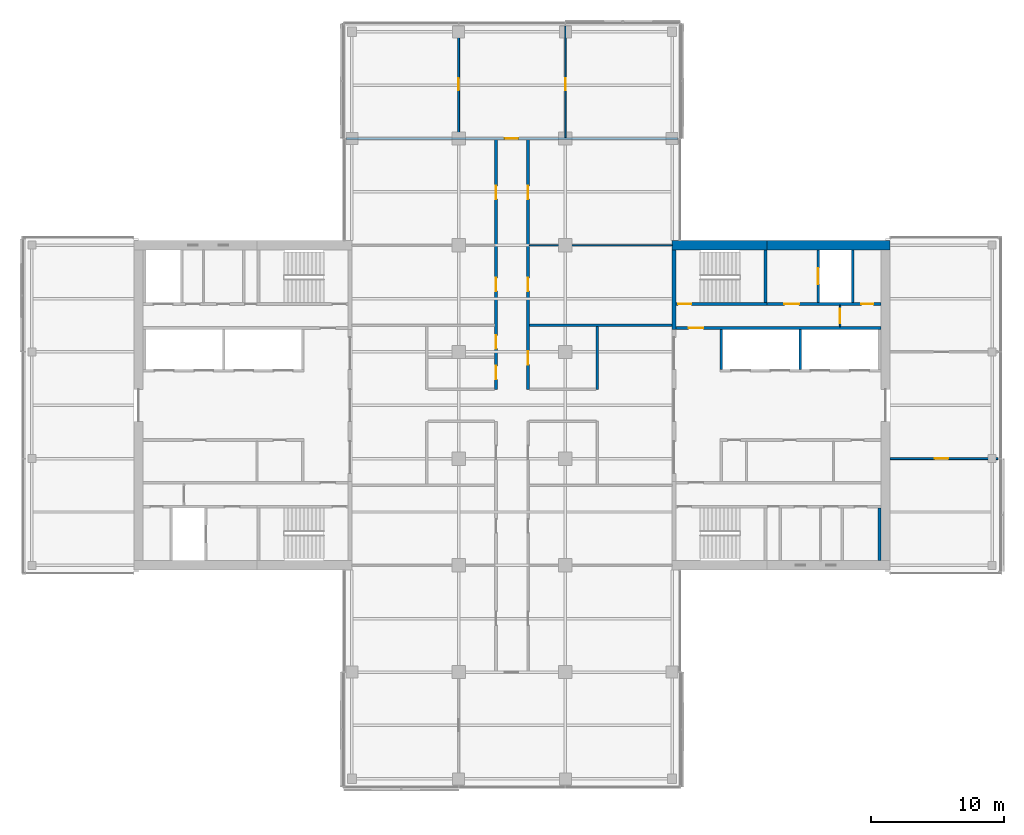
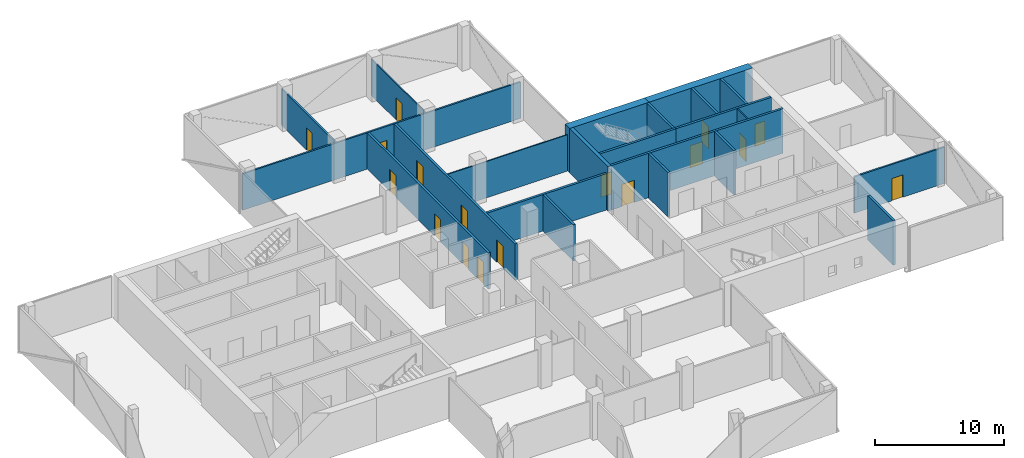
# One storey, part 16 of 22: 22 walls, 17 doors, 17 openings.
"""IFC4 building model written with IfcOpenShell, lengths in metres."""

from ifc_helpers import new_model, si_unit, direction, frame, frame_2d, origin, place, context, subcontext, project, spatial, rectangle, extrude, material, layer, layer_set, constituent, constituent_set, type_object, element, fill, save


model = new_model("IFC4")

# Units and contexts
model_context = context("Model", 3, precision=1e-05, world=origin(), true_north=direction((0.0, 1.0)))
body_context = subcontext(model_context, "Body", "Model", "MODEL_VIEW")
ifc_project = project(units=[si_unit("LENGTHUNIT", "METRE"), si_unit("AREAUNIT", "SQUARE_METRE"), si_unit("VOLUMEUNIT", "CUBIC_METRE"), si_unit("PLANEANGLEUNIT", "RADIAN"), si_unit("MASSUNIT", "GRAM", prefix="KILO")], contexts=[model_context])

# Site, building, storey
site_placement = place(None, origin())
site = spatial("IfcSite", under=ifc_project, at=site_placement, CompositionType="ELEMENT")
building_placement = place(site_placement, origin())
building = spatial("IfcBuilding", under=site, at=building_placement, Name="Crosswind Convention Tower", CompositionType="ELEMENT")
storey_placement = place(building_placement, frame((0.0, 0.0, 137.89990234375)))
storey = spatial("IfcBuildingStorey", under=building, at=storey_placement, Name="L28", CompositionType="ELEMENT", Elevation=137.89990234375)

# Wall, openings, doors
ifc_material_1 = material(Name="Concrete blockwork", Category="masonry")
ifc_layer_1 = layer(ifc_material_1, 0.199951171875)
ifc_layer_set_1 = layer_set([ifc_layer_1], Name="COMPARTMENT WALL 200 BLOCKWORK")
wall_type_1 = type_object("IfcWallType", Name="COMPARTMENT WALL 200 BLOCKWORK", PredefinedType="SOLIDWALL", material=ifc_layer_set_1)
wall_1_placement = place(storey_placement, frame((123.800048828125, 101.199951171875, 0.0), z_axis=(0.0, 0.0, 1.0), x_axis=(0.0, 1.0, 0.0)))
wall_1 = element("IfcWall", 1, at=wall_1_placement, inside=storey, type_object=wall_type_1, Name="Compartment wall WT42", PredefinedType="SOLIDWALL", context=body_context, shape_type="SweptSolid", body=[
    extrude(rectangle(XDim=18.72509765625, YDim=0.199951171875, at=frame_2d((9.362548828125, 0.0))), origin(), (0.0, 0.0, 1.0), 3.4365234375),
])
opening_1_placement = place(wall_1_placement, frame((0.75, 0.0, 0.0)))
opening_1 = element("IfcOpeningElement", 2, at=opening_1_placement, cuts=wall_1, Name="Opening L28-56", PredefinedType="OPENING", context=body_context, shape_type="SweptSolid", body=[
    extrude(rectangle(XDim=1.0, YDim=2.10009765625, at=frame_2d((0.5, 1.050048828125))), frame((0.0, 0.10986328125, 0.0), z_axis=(0.0, -1.0, 0.0), x_axis=(1.0, 0.0, 0.0)), (0.0, 0.0, 1.0), 0.219970703125),
])
opening_2_placement = place(wall_1_placement, frame((3.050048828125, 0.0, 0.0)))
opening_2 = element("IfcOpeningElement", 3, at=opening_2_placement, cuts=wall_1, Name="Opening L28-57", PredefinedType="OPENING", context=body_context, shape_type="SweptSolid", body=[
    extrude(rectangle(XDim=1.0, YDim=2.10009765625, at=frame_2d((0.5, 1.050048828125))), frame((0.0, 0.10986328125, 0.0), z_axis=(0.0, -1.0, 0.0), x_axis=(1.0, 0.0, 0.0)), (0.0, 0.0, 1.0), 0.219970703125),
])
opening_3_placement = place(wall_1_placement, frame((7.35009765625, 0.0, 0.0)))
opening_3 = element("IfcOpeningElement", 4, at=opening_3_placement, cuts=wall_1, Name="Opening L28-58", PredefinedType="OPENING", context=body_context, shape_type="SweptSolid", body=[
    extrude(rectangle(XDim=1.0, YDim=2.10009765625, at=frame_2d((0.5, 1.050048828125))), frame((0.0, 0.10986328125, 0.0), z_axis=(0.0, -1.0, 0.0), x_axis=(1.0, 0.0, 0.0)), (0.0, 0.0, 1.0), 0.219970703125),
])
opening_4_placement = place(wall_1_placement, frame((14.25, 0.0, 0.0)))
opening_4 = element("IfcOpeningElement", 5, at=opening_4_placement, cuts=wall_1, Name="Opening L28-59", PredefinedType="OPENING", context=body_context, shape_type="SweptSolid", body=[
    extrude(rectangle(XDim=1.0, YDim=2.10009765625, at=frame_2d((0.5, 1.050048828125))), frame((0.0, 0.10986328125, 0.0), z_axis=(0.0, -1.0, 0.0), x_axis=(1.0, 0.0, 0.0)), (0.0, 0.0, 1.0), 0.219970703125),
])
ifc_material_2 = material(Name="Steel fire door", Category="steel")
door_type_1 = type_object("IfcDoorType", Name="PLANT ROOM DOOR 1000X2100 FD60", OperationType="NOTDEFINED", PredefinedType="DOOR", material=ifc_material_2)
door_1_placement = place(opening_1_placement, origin())
door_1 = element("IfcDoor", 6, at=door_1_placement, inside=storey, type_object=door_type_1, Name="Door L28-56", ObjectType="D43", OperationType="SINGLE_SWING_RIGHT", OverallHeight=2.10009765625, OverallWidth=1.0, PredefinedType="DOOR", context=body_context, shape_type="SweptSolid", body=[
    extrude(rectangle(XDim=1.0, YDim=2.10009765625, at=frame_2d((0.5, 1.050048828125))), frame((0.0, 0.02490234375, 0.0), z_axis=(0.0, -1.0, 0.0), x_axis=(1.0, 0.0, 0.0)), (0.0, 0.0, 1.0), 0.050048828125),
])
fill(opening_1, door_1)
ifc_material_3 = material(Name="Timber fire door", Category="wood")
door_type_2 = type_object("IfcDoorType", Name="TENANCY ENTRANCE DOOR 1000X2100 FD30S", OperationType="NOTDEFINED", PredefinedType="DOOR", material=ifc_material_3)
door_2_placement = place(opening_2_placement, origin())
door_2 = element("IfcDoor", 7, at=door_2_placement, inside=storey, type_object=door_type_2, Name="Door L28-57", ObjectType="D41", OperationType="SINGLE_SWING_LEFT", OverallHeight=2.10009765625, OverallWidth=1.0, PredefinedType="DOOR", context=body_context, shape_type="SweptSolid", body=[
    extrude(rectangle(XDim=1.0, YDim=2.10009765625, at=frame_2d((0.5, 1.050048828125))), frame((0.0, 0.02490234375, 0.0), z_axis=(0.0, -1.0, 0.0), x_axis=(1.0, 0.0, 0.0)), (0.0, 0.0, 1.0), 0.050048828125),
])
fill(opening_2, door_2)
door_3_placement = place(opening_3_placement, origin())
door_3 = element("IfcDoor", 8, at=door_3_placement, inside=storey, type_object=door_type_2, Name="Door L28-58", ObjectType="D41", OperationType="SINGLE_SWING_RIGHT", OverallHeight=2.10009765625, OverallWidth=1.0, PredefinedType="DOOR", context=body_context, shape_type="SweptSolid", body=[
    extrude(rectangle(XDim=1.0, YDim=2.10009765625, at=frame_2d((0.5, 1.050048828125))), frame((0.0, 0.02490234375, 0.0), z_axis=(0.0, -1.0, 0.0), x_axis=(1.0, 0.0, 0.0)), (0.0, 0.0, 1.0), 0.050048828125),
])
fill(opening_3, door_3)
door_4_placement = place(opening_4_placement, origin())
door_4 = element("IfcDoor", 9, at=door_4_placement, inside=storey, type_object=door_type_2, Name="Door L28-59", ObjectType="D41", OperationType="SINGLE_SWING_LEFT", OverallHeight=2.10009765625, OverallWidth=1.0, PredefinedType="DOOR", context=body_context, shape_type="SweptSolid", body=[
    extrude(rectangle(XDim=1.0, YDim=2.10009765625, at=frame_2d((0.5, 1.050048828125))), frame((0.0, 0.02490234375, 0.0), z_axis=(0.0, -1.0, 0.0), x_axis=(1.0, 0.0, 0.0)), (0.0, 0.0, 1.0), 0.050048828125),
])
fill(opening_4, door_4)

wall_2_placement = place(storey_placement, frame((126.199951171875, 101.199951171875, 0.0), z_axis=(0.0, 0.0, 1.0), x_axis=(0.0, 1.0, 0.0)))
wall_2 = element("IfcWall", 10, at=wall_2_placement, inside=storey, type_object=wall_type_1, Name="Compartment wall WT42", PredefinedType="SOLIDWALL", context=body_context, shape_type="SweptSolid", body=[
    extrude(rectangle(XDim=18.72509765625, YDim=0.199951171875, at=frame_2d((9.362548828125, 0.0))), origin(), (0.0, 0.0, 1.0), 3.4365234375),
])
opening_5_placement = place(wall_2_placement, frame((1.85009765625, 0.0, 0.0)))
opening_5 = element("IfcOpeningElement", 11, at=opening_5_placement, cuts=wall_2, Name="Opening L28-50", PredefinedType="OPENING", context=body_context, shape_type="SweptSolid", body=[
    extrude(rectangle(XDim=1.0, YDim=2.10009765625, at=frame_2d((0.5, 1.050048828125))), frame((0.0, 0.10986328125, 0.0), z_axis=(0.0, -1.0, 0.0), x_axis=(1.0, 0.0, 0.0)), (0.0, 0.0, 1.0), 0.219970703125),
])
opening_6_placement = place(wall_2_placement, frame((7.35009765625, 0.0, 0.0)))
opening_6 = element("IfcOpeningElement", 12, at=opening_6_placement, cuts=wall_2, Name="Opening L28-51", PredefinedType="OPENING", context=body_context, shape_type="SweptSolid", body=[
    extrude(rectangle(XDim=1.0, YDim=2.10009765625, at=frame_2d((0.5, 1.050048828125))), frame((0.0, 0.10986328125, 0.0), z_axis=(0.0, -1.0, 0.0), x_axis=(1.0, 0.0, 0.0)), (0.0, 0.0, 1.0), 0.219970703125),
])
opening_7_placement = place(wall_2_placement, frame((14.25, 0.0, 0.0)))
opening_7 = element("IfcOpeningElement", 13, at=opening_7_placement, cuts=wall_2, Name="Opening L28-52", PredefinedType="OPENING", context=body_context, shape_type="SweptSolid", body=[
    extrude(rectangle(XDim=1.0, YDim=2.10009765625, at=frame_2d((0.5, 1.050048828125))), frame((0.0, 0.10986328125, 0.0), z_axis=(0.0, -1.0, 0.0), x_axis=(1.0, 0.0, 0.0)), (0.0, 0.0, 1.0), 0.219970703125),
])
door_5_placement = place(opening_5_placement, frame((1.0, 0.0, 0.0), z_axis=(0.0, 0.0, 1.0), x_axis=(-1.0, 0.0, 0.0)))
door_5 = element("IfcDoor", 14, at=door_5_placement, inside=storey, type_object=door_type_1, Name="Door L28-50", ObjectType="D43", OperationType="SINGLE_SWING_RIGHT", OverallHeight=2.10009765625, OverallWidth=1.0, PredefinedType="DOOR", context=body_context, shape_type="SweptSolid", body=[
    extrude(rectangle(XDim=1.0, YDim=2.10009765625, at=frame_2d((0.5, 1.050048828125))), frame((0.0, 0.02490234375, 0.0), z_axis=(0.0, -1.0, 0.0), x_axis=(1.0, 0.0, 0.0)), (0.0, 0.0, 1.0), 0.050048828125),
])
fill(opening_5, door_5)
door_6_placement = place(opening_6_placement, origin())
door_6 = element("IfcDoor", 15, at=door_6_placement, inside=storey, type_object=door_type_2, Name="Door L28-51", ObjectType="D41", OperationType="SINGLE_SWING_RIGHT", OverallHeight=2.10009765625, OverallWidth=1.0, PredefinedType="DOOR", context=body_context, shape_type="SweptSolid", body=[
    extrude(rectangle(XDim=1.0, YDim=2.10009765625, at=frame_2d((0.5, 1.050048828125))), frame((0.0, 0.02490234375, 0.0), z_axis=(0.0, -1.0, 0.0), x_axis=(1.0, 0.0, 0.0)), (0.0, 0.0, 1.0), 0.050048828125),
])
fill(opening_6, door_6)
door_7_placement = place(opening_7_placement, frame((1.0, 0.0, 0.0), z_axis=(0.0, 0.0, 1.0), x_axis=(-1.0, 0.0, 0.0)))
door_7 = element("IfcDoor", 16, at=door_7_placement, inside=storey, type_object=door_type_2, Name="Door L28-52", ObjectType="D41", OperationType="SINGLE_SWING_RIGHT", OverallHeight=2.10009765625, OverallWidth=1.0, PredefinedType="DOOR", context=body_context, shape_type="SweptSolid", body=[
    extrude(rectangle(XDim=1.0, YDim=2.10009765625, at=frame_2d((0.5, 1.050048828125))), frame((0.0, 0.02490234375, 0.0), z_axis=(0.0, -1.0, 0.0), x_axis=(1.0, 0.0, 0.0)), (0.0, 0.0, 1.0), 0.050048828125),
])
fill(opening_7, door_7)

# Walls
wall_3_placement = place(storey_placement, frame((131.39990234375, 101.199951171875, 0.0), z_axis=(0.0, 0.0, 1.0), x_axis=(0.0, 1.0, 0.0)))
element("IfcWall", 17, at=wall_3_placement, inside=storey, type_object=wall_type_1, Name="Compartment wall WT42", PredefinedType="SOLIDWALL", context=body_context, shape_type="SweptSolid", body=[
    extrude(rectangle(XDim=4.699951171875, YDim=0.199951171875, at=frame_2d((2.35009765625, 0.0))), origin(), (0.0, 0.0, 1.0), 3.4365234375),
])
wall_4_placement = place(storey_placement, frame((126.300048828125, 106.0, 0.0), z_axis=(0.0, 0.0, 1.0), x_axis=(1.0, 0.0, 0.0)))
element("IfcWall", 18, at=wall_4_placement, inside=storey, type_object=wall_type_1, Name="Compartment wall WT42", PredefinedType="SOLIDWALL", context=body_context, shape_type="SweptSolid", body=[
    extrude(rectangle(XDim=10.699951171875, YDim=0.199951171875, at=frame_2d((5.35009765625, 0.0))), origin(), (0.0, 0.0, 1.0), 3.4365234375),
])
ifc_material_4 = material(Name="Concrete C50/60", Category="concrete")
ifc_layer_2 = layer(ifc_material_4, 0.300048828125)
ifc_layer_set_2 = layer_set([ifc_layer_2], Name="Concrete C50/60")
wall_type_2 = type_object("IfcWallType", Name="Concrete inner core wall 300", PredefinedType="SHEAR", material=ifc_layer_set_2)
wall_5_placement = place(storey_placement, frame((137.14990234375, 105.699951171875, 0.0), z_axis=(0.0, 0.0, 1.0), x_axis=(0.0, 1.0, 0.0)))
element("IfcWall", 19, at=wall_5_placement, inside=storey, type_object=wall_type_2, Name="Wall EP E L28", PredefinedType="SHEAR", context=body_context, shape_type="SweptSolid", body=[
    extrude(rectangle(XDim=5.949951171875, YDim=0.300048828125, at=frame_2d((2.97509765625, 0.0))), origin(), (0.0, 0.0, 1.0), 4.2001953125),
])
ifc_layer_3 = layer(ifc_material_4, 0.199951171875)
ifc_layer_set_3 = layer_set([ifc_layer_3], Name="Concrete C50/60")
wall_type_3 = type_object("IfcWallType", Name="Concrete shaft and stair wall 200", PredefinedType="SHEAR", material=ifc_layer_set_3)
for number, where, z_axis, x_axis, name in (
    (20, (140.699951171875, 102.699951171875, 0.0), (0.0, 0.0, 1.0), (0.0, 1.0, 0.0), "Wall RPEND E L28"),
    (21, (146.60009765625, 102.699951171875, 0.0), (0.0, 0.0, 1.0), (0.0, 1.0, 0.0), "Wall RPSEP E L28"),
):
    element("IfcWall", number, at=place(storey_placement, frame(where, z_axis=z_axis, x_axis=x_axis)), inside=storey, type_object=wall_type_3, Name=name, PredefinedType="SHEAR", context=body_context, shape_type="SweptSolid", body=[
        extrude(rectangle(XDim=3.0, YDim=0.199951171875, at=frame_2d((1.5, 0.0))), origin(), (0.0, 0.0, 1.0), 4.2001953125),
    ])

# Wall, opening, door
wall_6_placement = place(storey_placement, frame((137.300048828125, 105.800048828125, 0.0), z_axis=(0.0, 0.0, 1.0), x_axis=(1.0, 0.0, 0.0)))
wall_6 = element("IfcWall", 22, at=wall_6_placement, inside=storey, type_object=wall_type_3, Name="Wall HP E L28", PredefinedType="SHEAR", context=body_context, shape_type="SweptSolid", body=[
    extrude(rectangle(XDim=15.349853515625, YDim=0.199951171875, at=frame_2d((7.6748046875, 0.0))), origin(), (0.0, 0.0, 1.0), 4.2001953125),
])
opening_8_placement = place(wall_6_placement, frame((0.949951171875, 0.0, 0.0)))
opening_8 = element("IfcOpeningElement", 23, at=opening_8_placement, cuts=wall_6, Name="Opening D104", PredefinedType="OPENING", context=body_context, shape_type="SweptSolid", body=[
    extrude(rectangle(XDim=1.10009765625, YDim=2.10009765625, at=frame_2d((0.550048828125, 1.050048828125))), frame((0.0, 0.10986328125, 0.0), z_axis=(0.0, -1.0, 0.0), x_axis=(1.0, 0.0, 0.0)), (0.0, 0.0, 1.0), 0.219970703125),
])
door_type_3 = type_object("IfcDoorType", Name="Fire-rated single door 1100x2100", OperationType="NOTDEFINED", PredefinedType="DOOR", material=ifc_material_2)
door_8_placement = place(opening_8_placement, origin())
door_8 = element("IfcDoor", 24, at=door_8_placement, inside=storey, type_object=door_type_3, Name="Corridor door L28", ObjectType="D104", OperationType="SINGLE_SWING_LEFT", OverallHeight=2.10009765625, OverallWidth=1.10009765625, PredefinedType="DOOR", context=body_context, shape_type="SweptSolid", body=[
    extrude(rectangle(XDim=1.10009765625, YDim=2.10009765625, at=frame_2d((0.550048828125, 1.050048828125))), frame((0.0, 0.02490234375, 0.0), z_axis=(0.0, -1.0, 0.0), x_axis=(1.0, 0.0, 0.0)), (0.0, 0.0, 1.0), 0.050048828125),
])
fill(opening_8, door_8)

# Wall
wall_7_placement = place(storey_placement, frame((144.0, 107.699951171875, 0.0), z_axis=(0.0, 0.0, 1.0), x_axis=(0.0, 1.0, 0.0)))
element("IfcWall", 25, at=wall_7_placement, inside=storey, type_object=wall_type_3, Name="Wall PSE E L28", PredefinedType="SHEAR", context=body_context, shape_type="SweptSolid", body=[
    extrude(rectangle(XDim=3.949951171875, YDim=0.199951171875, at=frame_2d((1.97509765625, 0.0))), origin(), (0.0, 0.0, 1.0), 4.2001953125),
])

# Wall, opening, door
wall_8_placement = place(storey_placement, frame((147.949951171875, 107.699951171875, 0.0), z_axis=(0.0, 0.0, 1.0), x_axis=(0.0, 1.0, 0.0)))
wall_8 = element("IfcWall", 26, at=wall_8_placement, inside=storey, type_object=wall_type_3, Name="Wall PFLW E L28", PredefinedType="SHEAR", context=body_context, shape_type="SweptSolid", body=[
    extrude(rectangle(XDim=3.949951171875, YDim=0.199951171875, at=frame_2d((1.97509765625, 0.0))), origin(), (0.0, 0.0, 1.0), 4.2001953125),
])
opening_9_placement = place(wall_8_placement, frame((1.375, 0.0, 0.0)))
opening_9 = element("IfcOpeningElement", 27, at=opening_9_placement, cuts=wall_8, Name="Opening LD1", PredefinedType="OPENING", context=body_context, shape_type="SweptSolid", body=[
    extrude(rectangle(XDim=1.199951171875, YDim=2.10009765625, at=frame_2d((0.60009765625, 1.050048828125))), frame((0.0, 0.10986328125, 0.0), z_axis=(0.0, -1.0, 0.0), x_axis=(1.0, 0.0, 0.0)), (0.0, 0.0, 1.0), 0.219970703125),
])
ifc_material_5 = material(Name="Stainless steel", Category="steel")
door_type_4 = type_object("IfcDoorType", Name="Lift landing door 1200x2100", OperationType="DOUBLE_DOOR_SLIDING", PredefinedType="DOOR", material=ifc_material_5)
door_9_placement = place(opening_9_placement, origin())
door_9 = element("IfcDoor", 28, at=door_9_placement, inside=storey, type_object=door_type_4, Name="Landing door FF1 L28", ObjectType="LD1", OperationType="DOUBLE_DOOR_SLIDING", OverallHeight=2.10009765625, OverallWidth=1.199951171875, PredefinedType="DOOR", context=body_context, shape_type="SweptSolid", body=[
    extrude(rectangle(XDim=1.199951171875, YDim=2.10009765625, at=frame_2d((0.60009765625, 1.050048828125))), frame((0.0, 0.02490234375, 0.0), z_axis=(0.0, -1.0, 0.0), x_axis=(1.0, 0.0, 0.0)), (0.0, 0.0, 1.0), 0.050048828125),
])
fill(opening_9, door_9)

# Wall
wall_9_placement = place(storey_placement, frame((150.550048828125, 107.699951171875, 0.0), z_axis=(0.0, 0.0, 1.0), x_axis=(0.0, 1.0, 0.0)))
element("IfcWall", 29, at=wall_9_placement, inside=storey, type_object=wall_type_3, Name="Wall PFSE E L28", PredefinedType="SHEAR", context=body_context, shape_type="SweptSolid", body=[
    extrude(rectangle(XDim=3.949951171875, YDim=0.199951171875, at=frame_2d((1.97509765625, 0.0))), origin(), (0.0, 0.0, 1.0), 4.2001953125),
])

# Wall, opening, door
wall_10_placement = place(storey_placement, frame((137.300048828125, 107.60009765625, 0.0), z_axis=(0.0, 0.0, 1.0), x_axis=(1.0, 0.0, 0.0)))
wall_10 = element("IfcWall", 30, at=wall_10_placement, inside=storey, type_object=wall_type_3, Name="Wall PCW E L28", PredefinedType="SHEAR", context=body_context, shape_type="SweptSolid", body=[
    extrude(rectangle(XDim=6.800048828125, YDim=0.199951171875, at=frame_2d((3.39990234375, 0.0))), origin(), (0.0, 0.0, 1.0), 4.2001953125),
])
opening_10_placement = place(wall_10_placement, frame((0.14990234375, 0.0, 0.0)))
opening_10 = element("IfcOpeningElement", 31, at=opening_10_placement, cuts=wall_10, Name="Opening D103", PredefinedType="OPENING", context=body_context, shape_type="SweptSolid", body=[
    extrude(rectangle(XDim=1.0, YDim=2.10009765625, at=frame_2d((0.5, 1.050048828125))), frame((0.0, 0.10986328125, 0.0), z_axis=(0.0, -1.0, 0.0), x_axis=(1.0, 0.0, 0.0)), (0.0, 0.0, 1.0), 0.219970703125),
])
door_type_5 = type_object("IfcDoorType", Name="Fire-rated single door 1000x2100", OperationType="NOTDEFINED", PredefinedType="DOOR", material=ifc_material_2)
door_10_placement = place(opening_10_placement, origin())
door_10 = element("IfcDoor", 32, at=door_10_placement, inside=storey, type_object=door_type_5, Name="Stair ST1 door L28", ObjectType="D103", OperationType="SINGLE_SWING_LEFT", OverallHeight=2.10009765625, OverallWidth=1.0, PredefinedType="DOOR", context=body_context, shape_type="SweptSolid", body=[
    extrude(rectangle(XDim=1.0, YDim=2.10009765625, at=frame_2d((0.5, 1.050048828125))), frame((0.0, 0.02490234375, 0.0), z_axis=(0.0, -1.0, 0.0), x_axis=(1.0, 0.0, 0.0)), (0.0, 0.0, 1.0), 0.050048828125),
])
fill(opening_10, door_10)

# Wall, openings, doors
wall_11_placement = place(storey_placement, frame((144.10009765625, 107.60009765625, 0.0), z_axis=(0.0, 0.0, 1.0), x_axis=(1.0, 0.0, 0.0)))
wall_11 = element("IfcWall", 33, at=wall_11_placement, inside=storey, type_object=wall_type_3, Name="Wall PCX E L28", PredefinedType="SHEAR", context=body_context, shape_type="SweptSolid", body=[
    extrude(rectangle(XDim=8.5498046875, YDim=0.199951171875, at=frame_2d((4.27490234375, 0.0))), origin(), (0.0, 0.0, 1.0), 4.2001953125),
])
opening_11_placement = place(wall_11_placement, frame((1.324951171875, 0.0, 0.0)))
opening_11 = element("IfcOpeningElement", 34, at=opening_11_placement, cuts=wall_11, Name="Opening D104", PredefinedType="OPENING", context=body_context, shape_type="SweptSolid", body=[
    extrude(rectangle(XDim=1.10009765625, YDim=2.10009765625, at=frame_2d((0.550048828125, 1.050048828125))), frame((0.0, 0.10986328125, 0.0), z_axis=(0.0, -1.0, 0.0), x_axis=(1.0, 0.0, 0.0)), (0.0, 0.0, 1.0), 0.219970703125),
])
opening_12_placement = place(wall_11_placement, frame((7.10009765625, 0.0, 0.0)))
opening_12 = element("IfcOpeningElement", 35, at=opening_12_placement, cuts=wall_11, Name="Opening D106", PredefinedType="OPENING", context=body_context, shape_type="SweptSolid", body=[
    extrude(rectangle(XDim=0.89990234375, YDim=2.10009765625, at=frame_2d((0.449951171875, 1.050048828125))), frame((0.0, 0.10986328125, 0.0), z_axis=(0.0, -1.0, 0.0), x_axis=(1.0, 0.0, 0.0)), (0.0, 0.0, 1.0), 0.219970703125),
])
door_11_placement = place(opening_11_placement, origin())
door_11 = element("IfcDoor", 36, at=door_11_placement, inside=storey, type_object=door_type_3, Name="Fire-fighting lobby FF1 door L28", ObjectType="D104", OperationType="SINGLE_SWING_RIGHT", OverallHeight=2.10009765625, OverallWidth=1.10009765625, PredefinedType="DOOR", context=body_context, shape_type="SweptSolid", body=[
    extrude(rectangle(XDim=1.10009765625, YDim=2.10009765625, at=frame_2d((0.550048828125, 1.050048828125))), frame((0.0, 0.02490234375, 0.0), z_axis=(0.0, -1.0, 0.0), x_axis=(1.0, 0.0, 0.0)), (0.0, 0.0, 1.0), 0.050048828125),
])
fill(opening_11, door_11)
ifc_material_6 = material(Name="Timber door", Category="wood")
door_type_6 = type_object("IfcDoorType", Name="Single leaf door 900x2100", OperationType="NOTDEFINED", PredefinedType="DOOR", material=ifc_material_6)
door_12_placement = place(opening_12_placement, origin())
door_12 = element("IfcDoor", 37, at=door_12_placement, inside=storey, type_object=door_type_6, Name="Door to telecoms room L28", ObjectType="D106", OperationType="SINGLE_SWING_RIGHT", OverallHeight=2.10009765625, OverallWidth=0.89990234375, PredefinedType="DOOR", context=body_context, shape_type="SweptSolid", body=[
    extrude(rectangle(XDim=0.89990234375, YDim=2.10009765625, at=frame_2d((0.449951171875, 1.050048828125))), frame((0.0, 0.02490234375, 0.0), z_axis=(0.0, -1.0, 0.0), x_axis=(1.0, 0.0, 0.0)), (0.0, 0.0, 1.0), 0.050048828125),
])
fill(opening_12, door_12)

# Wall
wall_12_placement = place(storey_placement, frame((152.550048828125, 88.35009765625, 0.0), z_axis=(0.0, 0.0, 1.0), x_axis=(0.0, 1.0, 0.0)))
element("IfcWall", 38, at=wall_12_placement, inside=storey, type_object=wall_type_3, Name="Wall MFSE E L28", PredefinedType="SHEAR", context=body_context, shape_type="SweptSolid", body=[
    extrude(rectangle(XDim=3.949951171875, YDim=0.199951171875, at=frame_2d((1.97509765625, 0.0))), origin(), (0.0, 0.0, 1.0), 4.2001953125),
])

# Wall, opening, door
ifc_material_7 = material(Name="Gypsum plasterboard partition", Category="gypsum")
ifc_layer_4 = layer(ifc_material_7, 0.125)
ifc_layer_set_4 = layer_set([ifc_layer_4], Name="Drywall partition wall 125")
wall_type_4 = type_object("IfcWallType", Name="Drywall partition wall 125", PredefinedType="PARTITIONING", material=ifc_layer_set_4)
wall_13_placement = place(storey_placement, frame((149.60009765625, 105.89990234375, 0.0), z_axis=(0.0, 0.0, 1.0), x_axis=(0.0, 1.0, 0.0)))
wall_13 = element("IfcWall", 39, at=wall_13_placement, inside=storey, type_object=wall_type_4, Name="Wall PXC1 E L28", PredefinedType="PARTITIONING", context=body_context, shape_type="SweptSolid", body=[
    extrude(rectangle(XDim=1.60009765625, YDim=0.125, at=frame_2d((0.800048828125, 0.0))), origin(), (0.0, 0.0, 1.0), 4.2001953125),
])
opening_13_placement = place(wall_13_placement, frame((0.25, 0.0, 0.0)))
opening_13 = element("IfcOpeningElement", 40, at=opening_13_placement, cuts=wall_13, Name="Opening D104", PredefinedType="OPENING", context=body_context, shape_type="SweptSolid", body=[
    extrude(rectangle(XDim=1.10009765625, YDim=2.10009765625, at=frame_2d((0.550048828125, 1.050048828125))), frame((0.0, 0.072509765625, 0.0), z_axis=(0.0, -1.0, 0.0), x_axis=(1.0, 0.0, 0.0)), (0.0, 0.0, 1.0), 0.14501953125),
])
door_13_placement = place(opening_13_placement, origin())
door_13 = element("IfcDoor", 41, at=door_13_placement, inside=storey, type_object=door_type_3, Name="Corridor smoke door L28", ObjectType="D104", OperationType="SINGLE_SWING_RIGHT", OverallHeight=2.10009765625, OverallWidth=1.10009765625, PredefinedType="DOOR", context=body_context, shape_type="SweptSolid", body=[
    extrude(rectangle(XDim=1.10009765625, YDim=2.10009765625, at=frame_2d((0.550048828125, 1.050048828125))), frame((0.0, 0.02490234375, 0.0), z_axis=(0.0, -1.0, 0.0), x_axis=(1.0, 0.0, 0.0)), (0.0, 0.0, 1.0), 0.050048828125),
])
fill(opening_13, door_13)

ifc_material_8 = material(Name="Plasterboard partition", Category="gypsum")
ifc_layer_5 = layer(ifc_material_8, 0.10009765625)
ifc_layer_set_5 = layer_set([ifc_layer_5], Name="PARTITION 100 METAL STUD")
wall_type_5 = type_object("IfcWallType", Name="PARTITION 100 METAL STUD", PredefinedType="PARTITIONING", material=ifc_layer_set_5)
wall_14_placement = place(storey_placement, frame((129.0, 120.074951171875, 0.0), z_axis=(0.0, 0.0, 1.0), x_axis=(0.0, 1.0, 0.0)))
wall_14 = element("IfcWall", 42, at=wall_14_placement, inside=storey, type_object=wall_type_5, Name="Partition wall WT40", PredefinedType="PARTITIONING", context=body_context, shape_type="SweptSolid", body=[
    extrude(rectangle(XDim=8.344970703125, YDim=0.10009765625, at=frame_2d((4.17236328125, 0.0))), origin(), (0.0, 0.0, 1.0), 3.4365234375),
])
opening_14_placement = place(wall_14_placement, frame((3.550048828125, 0.0, 0.0)))
opening_14 = element("IfcOpeningElement", 43, at=opening_14_placement, cuts=wall_14, Name="Opening L28-65", PredefinedType="OPENING", context=body_context, shape_type="SweptSolid", body=[
    extrude(rectangle(XDim=0.89990234375, YDim=2.10009765625, at=frame_2d((0.449951171875, 1.050048828125))), frame((0.0, 0.06005859375, 0.0), z_axis=(0.0, -1.0, 0.0), x_axis=(1.0, 0.0, 0.0)), (0.0, 0.0, 1.0), 0.1201171875),
])
door_type_7 = type_object("IfcDoorType", Name="INTERNAL DOOR 900X2100", OperationType="NOTDEFINED", PredefinedType="DOOR", material=ifc_material_6)
door_14_placement = place(opening_14_placement, origin())
door_14 = element("IfcDoor", 44, at=door_14_placement, inside=storey, type_object=door_type_7, Name="Door L28-65", ObjectType="D40", OperationType="SINGLE_SWING_RIGHT", OverallHeight=2.10009765625, OverallWidth=0.89990234375, PredefinedType="DOOR", context=body_context, shape_type="SweptSolid", body=[
    extrude(rectangle(XDim=0.89990234375, YDim=2.10009765625, at=frame_2d((0.449951171875, 1.050048828125))), frame((0.0, 0.02490234375, 0.0), z_axis=(0.0, -1.0, 0.0), x_axis=(1.0, 0.0, 0.0)), (0.0, 0.0, 1.0), 0.050048828125),
])
fill(opening_14, door_14)

# Wall
wall_15_placement = place(storey_placement, frame((126.300048828125, 112.0, 0.0), z_axis=(0.0, 0.0, 1.0), x_axis=(1.0, 0.0, 0.0)))
element("IfcWall", 45, at=wall_15_placement, inside=storey, type_object=wall_type_5, Name="Partition wall WT40", PredefinedType="PARTITIONING", context=body_context, shape_type="SweptSolid", body=[
    extrude(rectangle(XDim=10.699951171875, YDim=0.10009765625, at=frame_2d((5.35009765625, 0.0))), origin(), (0.0, 0.0, 1.0), 3.4365234375),
])

# Wall, opening, door
ifc_material_9 = material(Name="Fire-board partition with mineral wool", Category="gypsum")
ifc_layer_6 = layer(ifc_material_9, 0.14990234375)
ifc_layer_set_6 = layer_set([ifc_layer_6], Name="TENANCY WALL 150 TWO-HOUR BOARD")
wall_type_6 = type_object("IfcWallType", Name="TENANCY WALL 150 TWO-HOUR BOARD", PredefinedType="PARTITIONING", material=ifc_layer_set_6)
wall_16_placement = place(storey_placement, frame((121.0, 120.074951171875, 0.0), z_axis=(0.0, 0.0, 1.0), x_axis=(0.0, 1.0, 0.0)))
wall_16 = element("IfcWall", 46, at=wall_16_placement, inside=storey, type_object=wall_type_6, Name="Tenancy wall WT41", PredefinedType="PARTITIONING", context=body_context, shape_type="SweptSolid", body=[
    extrude(rectangle(XDim=8.344970703125, YDim=0.14990234375, at=frame_2d((4.17236328125, 0.0))), origin(), (0.0, 0.0, 1.0), 3.4365234375),
])
opening_15_placement = place(wall_16_placement, frame((3.550048828125, 0.0, 0.0)))
opening_15 = element("IfcOpeningElement", 47, at=opening_15_placement, cuts=wall_16, Name="Opening L28-64", PredefinedType="OPENING", context=body_context, shape_type="SweptSolid", body=[
    extrude(rectangle(XDim=0.89990234375, YDim=2.10009765625, at=frame_2d((0.449951171875, 1.050048828125))), frame((0.0, 0.0849609375, 0.0), z_axis=(0.0, -1.0, 0.0), x_axis=(1.0, 0.0, 0.0)), (0.0, 0.0, 1.0), 0.169921875),
])
door_15_placement = place(opening_15_placement, frame((0.89990234375, 0.0, 0.0), z_axis=(0.0, 0.0, 1.0), x_axis=(-1.0, 0.0, 0.0)))
door_15 = element("IfcDoor", 48, at=door_15_placement, inside=storey, type_object=door_type_7, Name="Door L28-64", ObjectType="D40", OperationType="SINGLE_SWING_LEFT", OverallHeight=2.10009765625, OverallWidth=0.89990234375, PredefinedType="DOOR", context=body_context, shape_type="SweptSolid", body=[
    extrude(rectangle(XDim=0.89990234375, YDim=2.10009765625, at=frame_2d((0.449951171875, 1.050048828125))), frame((0.0, 0.02490234375, 0.0), z_axis=(0.0, -1.0, 0.0), x_axis=(1.0, 0.0, 0.0)), (0.0, 0.0, 1.0), 0.050048828125),
])
fill(opening_15, door_15)

wall_17_placement = place(storey_placement, frame((153.35009765625, 96.0, 0.0), z_axis=(0.0, 0.0, 1.0), x_axis=(1.0, 0.0, 0.0)))
wall_17 = element("IfcWall", 49, at=wall_17_placement, inside=storey, type_object=wall_type_6, Name="Tenancy wall WT41", PredefinedType="PARTITIONING", context=body_context, shape_type="SweptSolid", body=[
    extrude(rectangle(XDim=8.06982421875, YDim=0.14990234375, at=frame_2d((4.034912109375, 0.0))), origin(), (0.0, 0.0, 1.0), 3.4365234375),
])
opening_16_placement = place(wall_17_placement, frame((3.35009765625, 0.0, 0.0)))
opening_16 = element("IfcOpeningElement", 50, at=opening_16_placement, cuts=wall_17, Name="Opening L28-69", PredefinedType="OPENING", context=body_context, shape_type="SweptSolid", body=[
    extrude(rectangle(XDim=1.0, YDim=2.10009765625, at=frame_2d((0.5, 1.050048828125))), frame((0.0, 0.0849609375, 0.0), z_axis=(0.0, -1.0, 0.0), x_axis=(1.0, 0.0, 0.0)), (0.0, 0.0, 1.0), 0.169921875),
])
door_16_placement = place(opening_16_placement, frame((1.0, 0.0, 0.0), z_axis=(0.0, 0.0, 1.0), x_axis=(-1.0, 0.0, 0.0)))
door_16 = element("IfcDoor", 51, at=door_16_placement, inside=storey, type_object=door_type_2, Name="Door L28-69", ObjectType="D41", OperationType="SINGLE_SWING_LEFT", OverallHeight=2.10009765625, OverallWidth=1.0, PredefinedType="DOOR", context=body_context, shape_type="SweptSolid", body=[
    extrude(rectangle(XDim=1.0, YDim=2.10009765625, at=frame_2d((0.5, 1.050048828125))), frame((0.0, 0.02490234375, 0.0), z_axis=(0.0, -1.0, 0.0), x_axis=(1.0, 0.0, 0.0)), (0.0, 0.0, 1.0), 0.050048828125),
])
fill(opening_16, door_16)

wall_18_placement = place(storey_placement, frame((112.580078125, 120.0, 0.0), z_axis=(0.0, 0.0, 1.0), x_axis=(1.0, 0.0, 0.0)))
wall_18 = element("IfcWall", 52, at=wall_18_placement, inside=storey, type_object=wall_type_6, Name="Tenancy wall WT41", PredefinedType="PARTITIONING", context=body_context, shape_type="SweptSolid", body=[
    extrude(rectangle(XDim=24.83984375, YDim=0.14990234375, at=frame_2d((12.419921875, 0.0))), origin(), (0.0, 0.0, 1.0), 3.4365234375),
])
opening_17_placement = place(wall_18_placement, frame((11.8701171875, 0.0, 0.0)))
opening_17 = element("IfcOpeningElement", 53, at=opening_17_placement, cuts=wall_18, Name="Opening L28-63", PredefinedType="OPENING", context=body_context, shape_type="SweptSolid", body=[
    extrude(rectangle(XDim=1.0, YDim=2.10009765625, at=frame_2d((0.5, 1.050048828125))), frame((0.0, 0.0849609375, 0.0), z_axis=(0.0, -1.0, 0.0), x_axis=(1.0, 0.0, 0.0)), (0.0, 0.0, 1.0), 0.169921875),
])
door_17_placement = place(opening_17_placement, origin())
door_17 = element("IfcDoor", 54, at=door_17_placement, inside=storey, type_object=door_type_2, Name="Door L28-63", ObjectType="D41", OperationType="SINGLE_SWING_LEFT", OverallHeight=2.10009765625, OverallWidth=1.0, PredefinedType="DOOR", context=body_context, shape_type="SweptSolid", body=[
    extrude(rectangle(XDim=1.0, YDim=2.10009765625, at=frame_2d((0.5, 1.050048828125))), frame((0.0, 0.02490234375, 0.0), z_axis=(0.0, -1.0, 0.0), x_axis=(1.0, 0.0, 0.0)), (0.0, 0.0, 1.0), 0.050048828125),
])
fill(opening_17, door_17)

# Walls
ifc_material_10 = material(Name="Concrete C60/75", Category="concrete")
ifc_constituent_1 = constituent(ifc_material_10, Name="Structure")
ifc_material_11 = material(Name="Terracotta rainscreen", Category="ceramic")
ifc_constituent_2 = constituent(ifc_material_11, Name="Facing")
ifc_constituent_set = constituent_set(constituents=[ifc_constituent_1, ifc_constituent_2], Name="Concrete C60/75, Terracotta rainscreen")
wall_type_7 = type_object("IfcWallType", Name="Terracotta rainscreen on concrete core wall 700", PredefinedType="SHEAR", material=ifc_constituent_set)
wall_19_placement = place(storey_placement, frame((137.0, 112.0, 0.0), z_axis=(0.0, 0.0, 1.0), x_axis=(1.0, 0.0, 0.0)))
element("IfcWall", 55, at=wall_19_placement, inside=storey, type_object=wall_type_7, Name="Wall N1 E L28", PredefinedType="SHEAR", context=body_context, shape_type="SweptSolid", body=[
    extrude(rectangle(XDim=7.10009765625, YDim=0.699951171875, at=frame_2d((3.550048828125, 0.0))), origin(), (0.0, 0.0, 1.0), 4.2001953125),
])
wall_20_placement = place(storey_placement, frame((144.10009765625, 112.0, 0.0), z_axis=(0.0, 0.0, 1.0), x_axis=(1.0, 0.0, 0.0)))
element("IfcWall", 56, at=wall_20_placement, inside=storey, type_object=wall_type_7, Name="Wall N2 E L28", PredefinedType="SHEAR", context=body_context, shape_type="SweptSolid", body=[
    extrude(rectangle(XDim=9.25, YDim=0.699951171875, at=frame_2d((4.625, 0.0))), origin(), (0.0, 0.0, 1.0), 4.2001953125),
])

save(model, "model.ifc")
